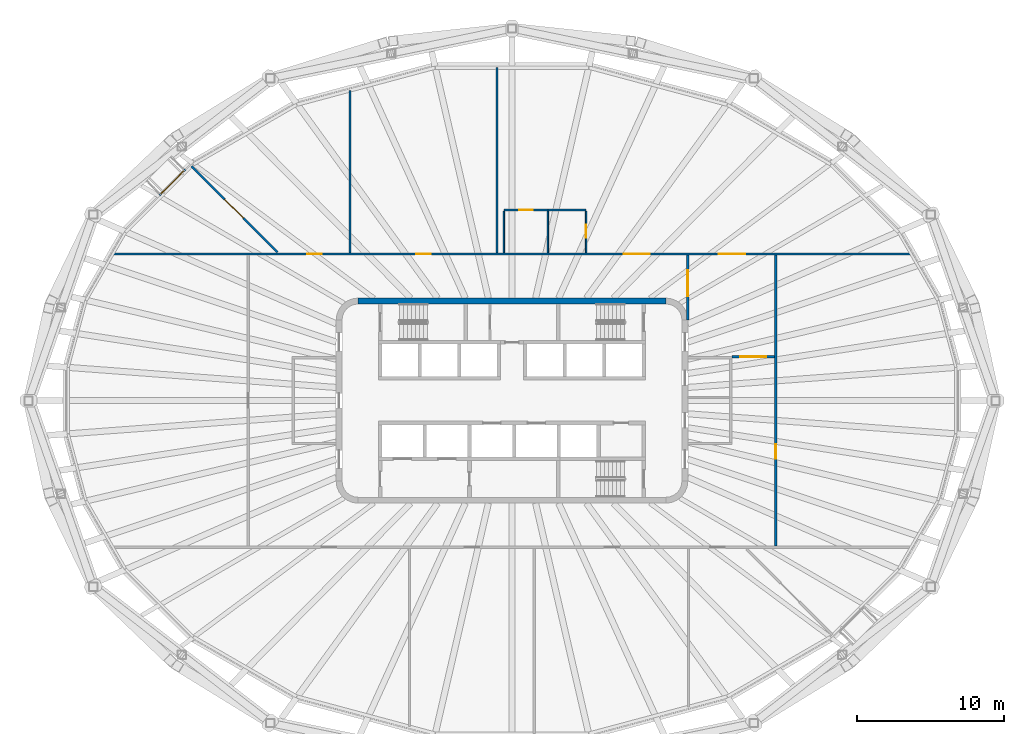
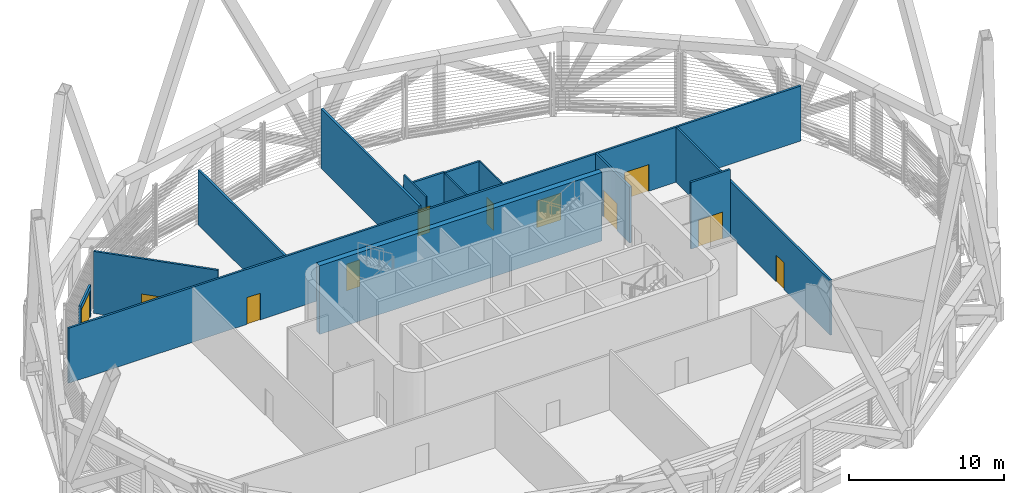
# One storey, part 7 of 17: 14 walls, 11 doors, 11 openings.
"""IFC4 building model written with IfcOpenShell, lengths in metres."""

from ifc_helpers import new_model, si_unit, direction, frame, frame_2d, origin, place, context, subcontext, project, spatial, rectangle, extrude, material, layer, layer_set, type_object, element, fill, save


model = new_model("IFC4")

# Units and contexts
model_context = context("Model", 3, precision=1e-05, world=origin(), true_north=direction((0.0, 1.0)))
body_context = subcontext(model_context, "Body", "Model", "MODEL_VIEW")
ifc_project = project(units=[si_unit("LENGTHUNIT", "METRE"), si_unit("AREAUNIT", "SQUARE_METRE"), si_unit("VOLUMEUNIT", "CUBIC_METRE"), si_unit("PLANEANGLEUNIT", "RADIAN"), si_unit("MASSUNIT", "GRAM", prefix="KILO")], contexts=[model_context])

# Site, building, storey
site_placement = place(None, origin())
site = spatial("IfcSite", under=ifc_project, at=site_placement, CompositionType="ELEMENT")
building_placement = place(site_placement, origin())
building = spatial("IfcBuilding", under=site, at=building_placement, Name="Sahrelin Media Tower", CompositionType="ELEMENT")
storey_placement = place(building_placement, frame((0.0, 0.0, 249.60009765625)))
storey = spatial("IfcBuildingStorey", under=building, at=storey_placement, Name="L54", CompositionType="ELEMENT", Elevation=249.60009765625)

# Wall
ifc_material_1 = material(Name="Concrete C60/75", Category="concrete")
ifc_layer_1 = layer(ifc_material_1, 0.39990234375)
ifc_layer_set_1 = layer_set([ifc_layer_1], Name="Core wall 400")
wall_type_1 = type_object("IfcWallType", Name="Core wall 400", PredefinedType="SHEAR", material=ifc_layer_set_1)
wall_1_placement = place(storey_placement, frame((-10.5, 6.800048828125, 0.0), z_axis=(0.0, 0.0, 1.0), x_axis=(1.0, 0.0, 0.0)))
element("IfcWall", 1, at=wall_1_placement, inside=storey, type_object=wall_type_1, Name="Core wall N L54", PredefinedType="SHEAR", context=body_context, shape_type="SweptSolid", body=[
    extrude(rectangle(XDim=21.0, YDim=0.39990234375, at=frame_2d((10.5, 0.0))), origin(), (0.0, 0.0, 1.0), 5.39990234375),
])

# Wall, opening, door
ifc_material_2 = material(Name="Fire-rated gypsum board partition")
ifc_layer_2 = layer(ifc_material_2, 0.14990234375)
ifc_layer_set_2 = layer_set([ifc_layer_2], Name="Fire-rated lobby wall 150")
wall_type_2 = type_object("IfcWallType", Name="Fire-rated lobby wall 150", PredefinedType="PARTITIONING", material=ifc_layer_set_2)
wall_2_placement = place(storey_placement, frame((12.0, 5.5, 0.0), z_axis=(0.0, 0.0, 1.0), x_axis=(0.0, 1.0, 0.0)))
wall_2 = element("IfcWall", 2, at=wall_2_placement, inside=storey, type_object=wall_type_2, Name="Wall", PredefinedType="PARTITIONING", context=body_context, shape_type="SweptSolid", body=[
    extrude(rectangle(XDim=4.425048828125, YDim=0.14990234375, at=frame_2d((2.21240234375, 0.0))), origin(), (0.0, 0.0, 1.0), 4.39501953125),
])
opening_1_placement = place(wall_2_placement, frame((1.613037109375, 0.0, 0.0)))
opening_1 = element("IfcOpeningElement", 3, at=opening_1_placement, cuts=wall_2, Name="Opening L54-D24", PredefinedType="OPENING", context=body_context, shape_type="SweptSolid", body=[
    extrude(rectangle(XDim=1.800048828125, YDim=2.10009765625, at=frame_2d((0.89990234375, 1.050048828125))), frame((0.0, 0.074951171875, 0.0), z_axis=(0.0, -1.0, 0.0), x_axis=(1.0, 0.0, 0.0)), (0.0, 0.0, 1.0), 0.14990234375),
])
ifc_material_3 = material(Name="Steel fire door leaf", Category="steel")
door_type_1 = type_object("IfcDoorType", Name="Lobby double door 1800 x 2100 EI 60", OperationType="DOUBLE_DOOR_SINGLE_SWING", PredefinedType="DOOR", material=ifc_material_3)
door_1_placement = place(opening_1_placement, origin())
door_1 = element("IfcDoor", 4, at=door_1_placement, inside=storey, type_object=door_type_1, Name="Lobby double door", OperationType="DOUBLE_DOOR_SINGLE_SWING", OverallHeight=2.10009765625, OverallWidth=1.800048828125, PredefinedType="DOOR", context=body_context, shape_type="SweptSolid", body=[
    extrude(rectangle(XDim=1.800048828125, YDim=2.10009765625, at=frame_2d((0.89990234375, 1.050048828125))), frame((0.0, 0.02490234375, 0.0), z_axis=(0.0, -1.0, 0.0), x_axis=(1.0, 0.0, 0.0)), (0.0, 0.0, 1.0), 0.050048828125),
])
fill(opening_1, door_1)

wall_3_placement = place(storey_placement, frame((15.0, 3.0, 0.0), z_axis=(0.0, 0.0, 1.0), x_axis=(1.0, 0.0, 0.0)))
wall_3 = element("IfcWall", 5, at=wall_3_placement, inside=storey, type_object=wall_type_2, Name="Wall", PredefinedType="PARTITIONING", context=body_context, shape_type="SweptSolid", body=[
    extrude(rectangle(XDim=2.925048828125, YDim=0.14990234375, at=frame_2d((1.46240234375, 0.0))), origin(), (0.0, 0.0, 1.0), 5.25),
])
opening_2_placement = place(wall_3_placement, frame((0.56201171875, 0.0, 0.0)))
opening_2 = element("IfcOpeningElement", 6, at=opening_2_placement, cuts=wall_3, Name="Opening L54-D25", PredefinedType="OPENING", context=body_context, shape_type="SweptSolid", body=[
    extrude(rectangle(XDim=1.800048828125, YDim=2.10009765625, at=frame_2d((0.89990234375, 1.050048828125))), frame((0.0, 0.074951171875, 0.0), z_axis=(0.0, -1.0, 0.0), x_axis=(1.0, 0.0, 0.0)), (0.0, 0.0, 1.0), 0.14990234375),
])
door_2_placement = place(opening_2_placement, origin())
door_2 = element("IfcDoor", 7, at=door_2_placement, inside=storey, type_object=door_type_1, Name="Lobby double door", OperationType="DOUBLE_DOOR_SINGLE_SWING", OverallHeight=2.10009765625, OverallWidth=1.800048828125, PredefinedType="DOOR", context=body_context, shape_type="SweptSolid", body=[
    extrude(rectangle(XDim=1.800048828125, YDim=2.10009765625, at=frame_2d((0.89990234375, 1.050048828125))), frame((0.0, 0.02490234375, 0.0), z_axis=(0.0, -1.0, 0.0), x_axis=(1.0, 0.0, 0.0)), (0.0, 0.0, 1.0), 0.050048828125),
])
fill(opening_2, door_2)

# Wall, openings, doors
ifc_layer_3 = layer(ifc_material_2, 0.14990234375)
ifc_layer_set_3 = layer_set([ifc_layer_3], Name="Fire-rated partition 150")
wall_type_3 = type_object("IfcWallType", Name="Fire-rated partition 150", PredefinedType="PARTITIONING", material=ifc_layer_set_3)
wall_4_placement = place(storey_placement, frame((-27.236572265625, 10.0, 0.0), z_axis=(0.0, 0.0, 1.0), x_axis=(1.0, 0.0, 0.0)))
wall_4 = element("IfcWall", 8, at=wall_4_placement, inside=storey, type_object=wall_type_3, Name="Wall", PredefinedType="PARTITIONING", context=body_context, shape_type="SweptSolid", body=[
    extrude(rectangle(XDim=54.47314453125, YDim=0.14990234375, at=frame_2d((27.236572265625, 0.0))), origin(), (0.0, 0.0, 1.0), 4.326904296875),
])
opening_3_placement = place(wall_4_placement, frame((13.25, 0.0, 0.0)))
opening_3 = element("IfcOpeningElement", 9, at=opening_3_placement, cuts=wall_4, Name="Opening L54-D16", PredefinedType="OPENING", context=body_context, shape_type="SweptSolid", body=[
    extrude(rectangle(XDim=1.0, YDim=2.10009765625, at=frame_2d((0.5, 1.050048828125))), frame((0.0, 0.074951171875, 0.0), z_axis=(0.0, -1.0, 0.0), x_axis=(1.0, 0.0, 0.0)), (0.0, 0.0, 1.0), 0.14990234375),
])
opening_4_placement = place(wall_4_placement, frame((20.699951171875, 0.0, 0.0)))
opening_4 = element("IfcOpeningElement", 10, at=opening_4_placement, cuts=wall_4, Name="Opening L54-D17", PredefinedType="OPENING", context=body_context, shape_type="SweptSolid", body=[
    extrude(rectangle(XDim=1.0, YDim=2.10009765625, at=frame_2d((0.5, 1.050048828125))), frame((0.0, 0.074951171875, 0.0), z_axis=(0.0, -1.0, 0.0), x_axis=(1.0, 0.0, 0.0)), (0.0, 0.0, 1.0), 0.14990234375),
])
opening_5_placement = place(wall_4_placement, frame((41.35009765625, 0.0, 0.0)))
opening_5 = element("IfcOpeningElement", 11, at=opening_5_placement, cuts=wall_4, Name="Opening L54-D26", PredefinedType="OPENING", context=body_context, shape_type="SweptSolid", body=[
    extrude(rectangle(XDim=1.800048828125, YDim=2.10009765625, at=frame_2d((0.89990234375, 1.050048828125))), frame((0.0, 0.074951171875, 0.0), z_axis=(0.0, -1.0, 0.0), x_axis=(1.0, 0.0, 0.0)), (0.0, 0.0, 1.0), 0.14990234375),
])
opening_6_placement = place(wall_4_placement, frame((34.85009765625, 0.0, 0.0)))
opening_6 = element("IfcOpeningElement", 12, at=opening_6_placement, cuts=wall_4, Name="Opening L54-D27", PredefinedType="OPENING", context=body_context, shape_type="SweptSolid", body=[
    extrude(rectangle(XDim=1.800048828125, YDim=2.10009765625, at=frame_2d((0.89990234375, 1.050048828125))), frame((0.0, 0.074951171875, 0.0), z_axis=(0.0, -1.0, 0.0), x_axis=(1.0, 0.0, 0.0)), (0.0, 0.0, 1.0), 0.14990234375),
])
door_type_2 = type_object("IfcDoorType", Name="Fire door 1000 x 2100 EI 60", OperationType="NOTDEFINED", PredefinedType="DOOR", material=ifc_material_3)
door_3_placement = place(opening_3_placement, origin())
door_3 = element("IfcDoor", 13, at=door_3_placement, inside=storey, type_object=door_type_2, Name="Fire door", OperationType="SINGLE_SWING_LEFT", OverallHeight=2.10009765625, OverallWidth=1.0, PredefinedType="DOOR", context=body_context, shape_type="SweptSolid", body=[
    extrude(rectangle(XDim=1.0, YDim=2.10009765625, at=frame_2d((0.5, 1.050048828125))), frame((0.0, 0.02490234375, 0.0), z_axis=(0.0, -1.0, 0.0), x_axis=(1.0, 0.0, 0.0)), (0.0, 0.0, 1.0), 0.050048828125),
])
fill(opening_3, door_3)
door_4_placement = place(opening_4_placement, origin())
door_4 = element("IfcDoor", 14, at=door_4_placement, inside=storey, type_object=door_type_2, Name="Fire door", OperationType="SINGLE_SWING_LEFT", OverallHeight=2.10009765625, OverallWidth=1.0, PredefinedType="DOOR", context=body_context, shape_type="SweptSolid", body=[
    extrude(rectangle(XDim=1.0, YDim=2.10009765625, at=frame_2d((0.5, 1.050048828125))), frame((0.0, 0.02490234375, 0.0), z_axis=(0.0, -1.0, 0.0), x_axis=(1.0, 0.0, 0.0)), (0.0, 0.0, 1.0), 0.050048828125),
])
fill(opening_4, door_4)
door_5_placement = place(opening_5_placement, origin())
door_5 = element("IfcDoor", 15, at=door_5_placement, inside=storey, type_object=door_type_1, Name="Lobby double door", OperationType="DOUBLE_DOOR_SINGLE_SWING", OverallHeight=2.10009765625, OverallWidth=1.800048828125, PredefinedType="DOOR", context=body_context, shape_type="SweptSolid", body=[
    extrude(rectangle(XDim=1.800048828125, YDim=2.10009765625, at=frame_2d((0.89990234375, 1.050048828125))), frame((0.0, 0.02490234375, 0.0), z_axis=(0.0, -1.0, 0.0), x_axis=(1.0, 0.0, 0.0)), (0.0, 0.0, 1.0), 0.050048828125),
])
fill(opening_5, door_5)
door_type_3 = type_object("IfcDoorType", Name="Service double door 1800 x 2100 EI 60", OperationType="DOUBLE_DOOR_SINGLE_SWING", PredefinedType="DOOR", material=ifc_material_3)
door_6_placement = place(opening_6_placement, origin())
door_6 = element("IfcDoor", 16, at=door_6_placement, inside=storey, type_object=door_type_3, Name="Service double door", OperationType="DOUBLE_DOOR_SINGLE_SWING", OverallHeight=2.10009765625, OverallWidth=1.800048828125, PredefinedType="DOOR", context=body_context, shape_type="SweptSolid", body=[
    extrude(rectangle(XDim=1.800048828125, YDim=2.10009765625, at=frame_2d((0.89990234375, 1.050048828125))), frame((0.0, 0.02490234375, 0.0), z_axis=(0.0, -1.0, 0.0), x_axis=(1.0, 0.0, 0.0)), (0.0, 0.0, 1.0), 0.050048828125),
])
fill(opening_6, door_6)

# Wall, opening, door
wall_5_placement = place(storey_placement, frame((18.0, -9.925048828125, 0.0), z_axis=(0.0, 0.0, 1.0), x_axis=(0.0, 1.0, 0.0)))
wall_5 = element("IfcWall", 17, at=wall_5_placement, inside=storey, type_object=wall_type_3, Name="Wall", PredefinedType="PARTITIONING", context=body_context, shape_type="SweptSolid", body=[
    extrude(rectangle(XDim=19.85009765625, YDim=0.14990234375, at=frame_2d((9.925048828125, 0.0))), origin(), (0.0, 0.0, 1.0), 4.318115234375),
])
opening_7_placement = place(wall_5_placement, frame((5.949951171875, 0.0, 0.0)))
opening_7 = element("IfcOpeningElement", 18, at=opening_7_placement, cuts=wall_5, Name="Opening L54-D22", PredefinedType="OPENING", context=body_context, shape_type="SweptSolid", body=[
    extrude(rectangle(XDim=1.0, YDim=2.10009765625, at=frame_2d((0.5, 1.050048828125))), frame((0.0, 0.074951171875, 0.0), z_axis=(0.0, -1.0, 0.0), x_axis=(1.0, 0.0, 0.0)), (0.0, 0.0, 1.0), 0.14990234375),
])
door_7_placement = place(opening_7_placement, origin())
door_7 = element("IfcDoor", 19, at=door_7_placement, inside=storey, type_object=door_type_2, Name="Fire door", OperationType="SINGLE_SWING_LEFT", OverallHeight=2.10009765625, OverallWidth=1.0, PredefinedType="DOOR", context=body_context, shape_type="SweptSolid", body=[
    extrude(rectangle(XDim=1.0, YDim=2.10009765625, at=frame_2d((0.5, 1.050048828125))), frame((0.0, 0.02490234375, 0.0), z_axis=(0.0, -1.0, 0.0), x_axis=(1.0, 0.0, 0.0)), (0.0, 0.0, 1.0), 0.050048828125),
])
fill(opening_7, door_7)

wall_6_placement = place(storey_placement, frame((-16.007568359375, 10.1279296875, 0.0), z_axis=(0.0, 0.0, 1.0), x_axis=(-0.70709206344, 0.707121498627, 0.0)))
wall_6 = element("IfcWall", 20, at=wall_6_placement, inside=storey, type_object=wall_type_3, Name="Wall", PredefinedType="PARTITIONING", context=body_context, shape_type="SweptSolid", body=[
    extrude(rectangle(XDim=8.294189453125, YDim=0.14990234375, at=frame_2d((4.14697265625, 0.0))), origin(), (0.0, 0.0, 1.0), 4.875),
])
opening_8_placement = place(wall_6_placement, frame((3.297119140625, 0.0, 0.0)))
opening_8 = element("IfcOpeningElement", 21, at=opening_8_placement, cuts=wall_6, Name="Opening L54-D30", PredefinedType="OPENING", context=body_context, shape_type="SweptSolid", body=[
    extrude(rectangle(XDim=1.800048828125, YDim=2.10009765625, at=frame_2d((0.89990234375, 1.050048828125))), frame((0.0, 0.074951171875, 0.0), z_axis=(0.0, -1.0, 0.0), x_axis=(1.0, 0.0, 0.0)), (0.0, 0.0, 1.0), 0.14990234375),
])
door_8_placement = place(opening_8_placement, origin())
door_8 = element("IfcDoor", 22, at=door_8_placement, inside=storey, type_object=door_type_3, Name="Service double door", OperationType="DOUBLE_DOOR_SINGLE_SWING", OverallHeight=2.10009765625, OverallWidth=1.800048828125, PredefinedType="DOOR", context=body_context, shape_type="SweptSolid", body=[
    extrude(rectangle(XDim=1.800048828125, YDim=2.10009765625, at=frame_2d((0.89990234375, 1.050048828125))), frame((0.0, 0.02490234375, 0.0), z_axis=(0.0, -1.0, 0.0), x_axis=(1.0, 0.0, 0.0)), (0.0, 0.0, 1.0), 0.050048828125),
])
fill(opening_8, door_8)

# Walls
wall_7_placement = place(storey_placement, frame((-11.047119140625, 10.074951171875, 0.0), z_axis=(0.0, 0.0, 1.0), x_axis=(0.0, 1.0, 0.0)))
element("IfcWall", 23, at=wall_7_placement, inside=storey, type_object=wall_type_3, Name="Wall", PredefinedType="PARTITIONING", context=body_context, shape_type="SweptSolid", body=[
    extrude(rectangle(XDim=11.0927734375, YDim=0.14990234375, at=frame_2d((5.54638671875, 0.0))), origin(), (0.0, 0.0, 1.0), 4.326904296875),
])
wall_8_placement = place(storey_placement, frame((-1.0234375, 10.074951171875, 0.0), z_axis=(0.0, 0.0, 1.0), x_axis=(0.0, 1.0, 0.0)))
element("IfcWall", 24, at=wall_8_placement, inside=storey, type_object=wall_type_3, Name="Wall", PredefinedType="PARTITIONING", context=body_context, shape_type="SweptSolid", body=[
    extrude(rectangle(XDim=12.647216796875, YDim=0.14990234375, at=frame_2d((6.32373046875, 0.0))), origin(), (0.0, 0.0, 1.0), 4.701416015625),
])

# Wall, opening, door
wall_9_placement = place(storey_placement, frame((-0.548583984375, 13.0, 0.0), z_axis=(0.0, 0.0, 1.0), x_axis=(1.0, 0.0, 0.0)))
wall_9 = element("IfcWall", 25, at=wall_9_placement, inside=storey, type_object=wall_type_3, Name="Wall", PredefinedType="PARTITIONING", context=body_context, shape_type="SweptSolid", body=[
    extrude(rectangle(XDim=3.0, YDim=0.14990234375, at=frame_2d((1.5, 0.0))), origin(), (0.0, 0.0, 1.0), 4.39501953125),
])
opening_9_placement = place(wall_9_placement, frame((1.050048828125, 0.0, 0.0)))
opening_9 = element("IfcOpeningElement", 26, at=opening_9_placement, cuts=wall_9, Name="Opening L54-D28", PredefinedType="OPENING", context=body_context, shape_type="SweptSolid", body=[
    extrude(rectangle(XDim=0.89990234375, YDim=2.10009765625, at=frame_2d((0.449951171875, 1.050048828125))), frame((0.0, 0.074951171875, 0.0), z_axis=(0.0, -1.0, 0.0), x_axis=(1.0, 0.0, 0.0)), (0.0, 0.0, 1.0), 0.14990234375),
])
ifc_material_4 = material(Name="Timber door leaf", Category="wood")
door_type_4 = type_object("IfcDoorType", Name="Single door 900 x 2100", OperationType="NOTDEFINED", PredefinedType="DOOR", material=ifc_material_4)
door_9_placement = place(opening_9_placement, origin())
door_9 = element("IfcDoor", 27, at=door_9_placement, inside=storey, type_object=door_type_4, Name="Single door", OperationType="SINGLE_SWING_RIGHT", OverallHeight=2.10009765625, OverallWidth=0.89990234375, PredefinedType="DOOR", context=body_context, shape_type="SweptSolid", body=[
    extrude(rectangle(XDim=0.89990234375, YDim=2.10009765625, at=frame_2d((0.449951171875, 1.050048828125))), frame((0.0, 0.02490234375, 0.0), z_axis=(0.0, -1.0, 0.0), x_axis=(1.0, 0.0, 0.0)), (0.0, 0.0, 1.0), 0.050048828125),
])
fill(opening_9, door_9)

# Walls
wall_10_placement = place(storey_placement, frame((2.451416015625, 13.0, 0.0), z_axis=(0.0, 0.0, 1.0), x_axis=(1.0, 0.0, 0.0)))
element("IfcWall", 28, at=wall_10_placement, inside=storey, type_object=wall_type_3, Name="Wall", PredefinedType="PARTITIONING", context=body_context, shape_type="SweptSolid", body=[
    extrude(rectangle(XDim=2.60009765625, YDim=0.14990234375, at=frame_2d((1.300048828125, 0.0))), origin(), (0.0, 0.0, 1.0), 4.326904296875),
])
ifc_material_5 = material(Name="Gypsum board partition")
ifc_layer_4 = layer(ifc_material_5, 0.10009765625)
ifc_layer_set_4 = layer_set([ifc_layer_4], Name="Partition 100")
wall_type_4 = type_object("IfcWallType", Name="Partition 100", PredefinedType="PARTITIONING", material=ifc_layer_set_4)
wall_11_placement = place(storey_placement, frame((-0.548583984375, 10.074951171875, 0.0), z_axis=(0.0, 0.0, 1.0), x_axis=(0.0, 1.0, 0.0)))
element("IfcWall", 29, at=wall_11_placement, inside=storey, type_object=wall_type_4, Name="Wall", PredefinedType="PARTITIONING", context=body_context, shape_type="SweptSolid", body=[
    extrude(rectangle(XDim=2.85009765625, YDim=0.10009765625, at=frame_2d((1.425048828125, 0.0))), origin(), (0.0, 0.0, 1.0), 5.25),
])
wall_12_placement = place(storey_placement, frame((2.451416015625, 10.074951171875, 0.0), z_axis=(0.0, 0.0, 1.0), x_axis=(0.0, 1.0, 0.0)))
element("IfcWall", 30, at=wall_12_placement, inside=storey, type_object=wall_type_4, Name="Wall", PredefinedType="PARTITIONING", context=body_context, shape_type="SweptSolid", body=[
    extrude(rectangle(XDim=2.85009765625, YDim=0.10009765625, at=frame_2d((1.425048828125, 0.0))), origin(), (0.0, 0.0, 1.0), 4.326904296875),
])

# Wall, opening, door
wall_13_placement = place(storey_placement, frame((5.051513671875, 10.074951171875, 0.0), z_axis=(0.0, 0.0, 1.0), x_axis=(0.0, 1.0, 0.0)))
wall_13 = element("IfcWall", 31, at=wall_13_placement, inside=storey, type_object=wall_type_4, Name="Wall", PredefinedType="PARTITIONING", context=body_context, shape_type="SweptSolid", body=[
    extrude(rectangle(XDim=2.85009765625, YDim=0.10009765625, at=frame_2d((1.425048828125, 0.0))), origin(), (0.0, 0.0, 1.0), 4.39501953125),
])
opening_10_placement = place(wall_13_placement, frame((1.02490234375, 0.0, 0.0)))
opening_10 = element("IfcOpeningElement", 32, at=opening_10_placement, cuts=wall_13, Name="Opening L54-D29", PredefinedType="OPENING", context=body_context, shape_type="SweptSolid", body=[
    extrude(rectangle(XDim=0.89990234375, YDim=2.10009765625, at=frame_2d((0.449951171875, 1.050048828125))), frame((0.0, 0.050048828125, 0.0), z_axis=(0.0, -1.0, 0.0), x_axis=(1.0, 0.0, 0.0)), (0.0, 0.0, 1.0), 0.10009765625),
])
door_10_placement = place(opening_10_placement, origin())
door_10 = element("IfcDoor", 33, at=door_10_placement, inside=storey, type_object=door_type_4, Name="Single door", OperationType="SINGLE_SWING_RIGHT", OverallHeight=2.10009765625, OverallWidth=0.89990234375, PredefinedType="DOOR", context=body_context, shape_type="SweptSolid", body=[
    extrude(rectangle(XDim=0.89990234375, YDim=2.10009765625, at=frame_2d((0.449951171875, 1.050048828125))), frame((0.0, 0.02490234375, 0.0), z_axis=(0.0, -1.0, 0.0), x_axis=(1.0, 0.0, 0.0)), (0.0, 0.0, 1.0), 0.050048828125),
])
fill(opening_10, door_10)

ifc_material_6 = material(Name="Aluminium louvre cladding 6063-T6", Category="aluminium")
ifc_layer_5 = layer(ifc_material_6, 0.14990234375)
ifc_layer_set_5 = layer_set([ifc_layer_5], Name="Plant louvre door wall")
wall_type_5 = type_object("IfcWallType", Name="Plant louvre door wall", PredefinedType="SOLIDWALL", material=ifc_layer_set_5)
wall_14_placement = place(storey_placement, frame((-24.064453125, 14.012939453125, 0.0), z_axis=(0.0, 0.0, 1.0), x_axis=(0.707106781187, 0.707106781187, 0.0)))
wall_14 = element("IfcWall", 34, at=wall_14_placement, inside=storey, type_object=wall_type_5, Name="Plant louvre door wall L54-09", PredefinedType="SOLIDWALL", context=body_context, shape_type="SweptSolid", body=[
    extrude(rectangle(XDim=2.5, YDim=0.14990234375, at=frame_2d((1.25, 0.0))), origin(), (0.0, 0.0, 1.0), 2.5),
])
opening_11_placement = place(wall_14_placement, frame((0.14990234375, 0.0, 0.0)))
opening_11 = element("IfcOpeningElement", 35, at=opening_11_placement, cuts=wall_14, Name="Opening MD09", PredefinedType="OPENING", context=body_context, shape_type="SweptSolid", body=[
    extrude(rectangle(XDim=2.199951171875, YDim=2.10009765625, at=frame_2d((1.10009765625, 1.050048828125))), frame((0.0, 0.074951171875, 0.0), z_axis=(0.0, -1.0, 0.0), x_axis=(1.0, 0.0, 0.0)), (0.0, 0.0, 1.0), 0.14990234375),
])
ifc_material_7 = material(Name="Champagne anodised aluminium 6063-T6", Category="aluminium")
door_type_5 = type_object("IfcDoorType", Name="Plant maintenance door 2200x2100", OperationType="DOUBLE_DOOR_SINGLE_SWING", PredefinedType="DOOR", material=ifc_material_7)
door_11_placement = place(opening_11_placement, origin())
door_11 = element("IfcDoor", 36, at=door_11_placement, inside=storey, type_object=door_type_5, Name="Plant maintenance door MD09", OperationType="DOUBLE_DOOR_SINGLE_SWING", OverallHeight=2.10009765625, OverallWidth=2.199951171875, PredefinedType="DOOR", context=body_context, shape_type="SweptSolid", body=[
    extrude(rectangle(XDim=2.199951171875, YDim=2.10009765625, at=frame_2d((1.10009765625, 1.050048828125))), frame((0.0, 0.02490234375, 0.0), z_axis=(0.0, -1.0, 0.0), x_axis=(1.0, 0.0, 0.0)), (0.0, 0.0, 1.0), 0.050048828125),
])
fill(opening_11, door_11)

save(model, "model.ifc")
